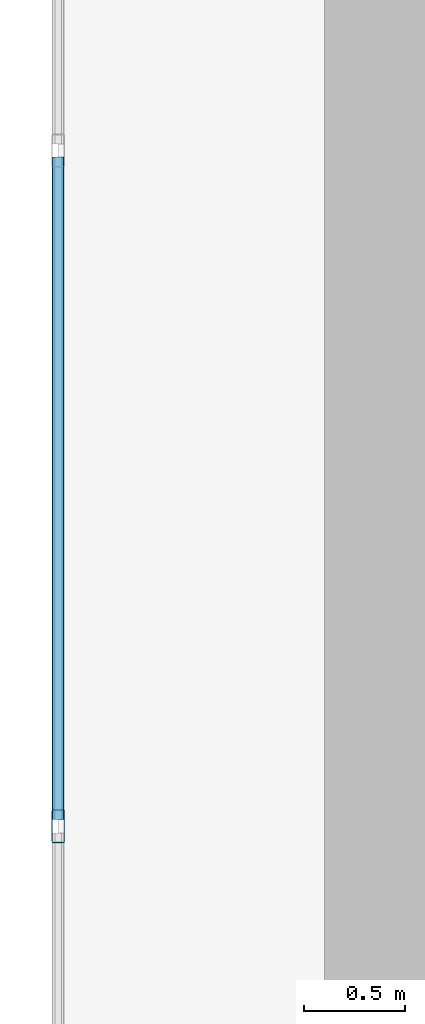
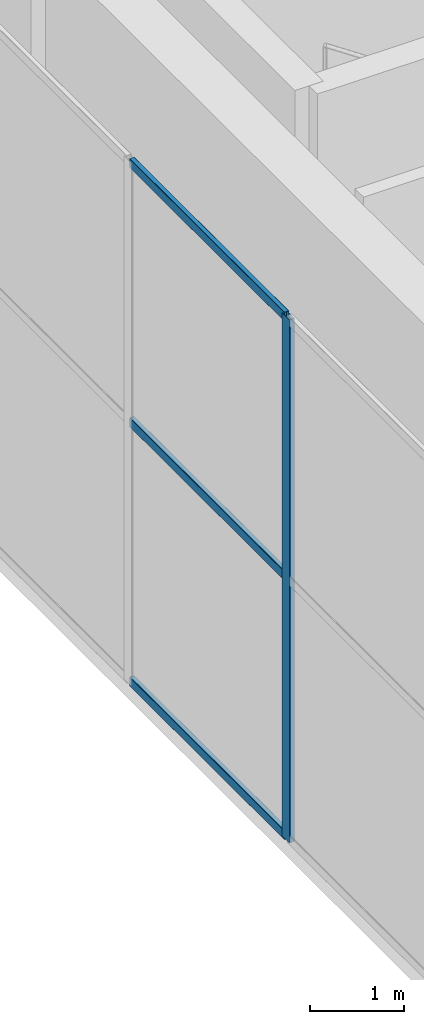
# One storey, part 7 of 24: 4 members, 1 element without a shape of its own.
"""IFC4 building model written with IfcOpenShell, lengths in metres."""

from ifc_helpers import new_model, si_unit, direction, frame, origin, origin_2d, place, context, subcontext, project, spatial, hollow_rectangle, extrude, material, layer, layer_set, material_profile, profile_set, type_object, element, aggregate, save


model = new_model("IFC4")

# Units and contexts
model_context = context("Model", 3, precision=1e-05, world=origin(), true_north=direction((0.0, 1.0)))
body_context = subcontext(model_context, "Body", "Model", "MODEL_VIEW")
ifc_project = project(units=[si_unit("LENGTHUNIT", "METRE"), si_unit("AREAUNIT", "SQUARE_METRE"), si_unit("VOLUMEUNIT", "CUBIC_METRE"), si_unit("PLANEANGLEUNIT", "RADIAN"), si_unit("MASSUNIT", "GRAM", prefix="KILO")], contexts=[model_context])

# Site, building, storey
site_placement = place(None, origin())
site = spatial("IfcSite", under=ifc_project, at=site_placement, CompositionType="ELEMENT")
building_placement = place(site_placement, origin())
building = spatial("IfcBuilding", under=site, at=building_placement, Name="An Khanh Terracotta Commons", CompositionType="ELEMENT")
storey_placement = place(building_placement, frame((0.0, 0.0, 315.199951171875)))
storey = spatial("IfcBuildingStorey", under=building, at=storey_placement, Name="L80 Crown Cooling Plant", CompositionType="ELEMENT", Elevation=315.199951171875)

# Curtain wall, members
ifc_material = material(Name="Anodised Aluminium 6063-T6", Category="aluminium")
ifc_layer = layer(ifc_material, 0.18994140625, Name="Anodised Aluminium 6063-T6")
ifc_layer_set = layer_set([ifc_layer], Name="Anodised Aluminium 6063-T6")
curtain_wall_type = type_object("IfcCurtainWallType", Name="CW-SYS-06", PredefinedType="USERDEFINED", material=ifc_layer_set)
curtain_wall_placement = place(storey_placement, origin())
curtain_wall = element("IfcCurtainWall", 1, at=curtain_wall_placement, inside=storey, type_object=curtain_wall_type, Name="L80 Crown Cooling Plant CW-06 Unitised Curtain Wall CW-L80-24", ObjectType="UNITISED CURTAIN WALL", PredefinedType="USERDEFINED")
ifc_material_profile_1 = material_profile(ifc_material, hollow_rectangle(XDim=0.06494140625, YDim=0.1650390625, WallThickness=0.00390625, InnerFilletRadius=0.00390625, OuterFilletRadius=0.008056640625, at=origin_2d()), Name="RHS165x65x4")
ifc_profile_set_1 = profile_set([ifc_material_profile_1], Name="Anodised Aluminium 6063-T6")
member_type_1 = type_object("IfcMemberType", Name="CWM-RHS165x65x4", PredefinedType="MULLION", material=ifc_profile_set_1)
member_1_placement = place(storey_placement, frame((20.0, 25.679931640625, 0.0), z_axis=(0.0, 0.0, 1.0), x_axis=(1.0, 0.0, 0.0)))
member_1 = element("IfcMember", 2, at=member_1_placement, type_object=member_type_1, Name="CW-06 mullion 3", PredefinedType="MULLION", context=body_context, shape_type="SweptSolid", body=[
    extrude(hollow_rectangle(XDim=0.06494140625, YDim=0.1650390625, WallThickness=0.00390625, InnerFilletRadius=0.00390625, OuterFilletRadius=0.008056640625, at=origin_2d()), origin(), (0.0, 0.0, 1.0), 6.800048828125),
])
ifc_material_profile_2 = material_profile(ifc_material, hollow_rectangle(XDim=0.06005859375, YDim=0.1201171875, WallThickness=0.003662109375, InnerFilletRadius=0.003662109375, OuterFilletRadius=0.007080078125, at=origin_2d()), Name="RHS120x60x3.6")
ifc_profile_set_2 = profile_set([ifc_material_profile_2], Name="Anodised Aluminium 6063-T6")
member_type_2 = type_object("IfcMemberType", Name="CWT-RHS120x60x3.6", PredefinedType="USERDEFINED", material=ifc_profile_set_2)
member_2_placement = place(storey_placement, frame((20.0, 29.007568359375, 0.030029296875), z_axis=(0.0, -1.0, 0.0), x_axis=(1.0, 0.0, 0.0)))
member_2 = element("IfcMember", 3, at=member_2_placement, type_object=member_type_2, Name="CW-06 transom 2.1", ObjectType="TRANSOM", PredefinedType="USERDEFINED", context=body_context, shape_type="SweptSolid", body=[
    extrude(hollow_rectangle(XDim=0.06005859375, YDim=0.1201171875, WallThickness=0.003662109375, InnerFilletRadius=0.003662109375, OuterFilletRadius=0.007080078125, at=origin_2d()), origin(), (0.0, 0.0, 1.0), 3.295166015625),
])
member_3_placement = place(storey_placement, frame((20.0, 29.007568359375, 3.400146484375), z_axis=(0.0, -1.0, 0.0), x_axis=(1.0, 0.0, 0.0)))
member_3 = element("IfcMember", 4, at=member_3_placement, type_object=member_type_2, Name="CW-06 transom 2.2", ObjectType="TRANSOM", PredefinedType="USERDEFINED", context=body_context, shape_type="SweptSolid", body=[
    extrude(hollow_rectangle(XDim=0.06005859375, YDim=0.1201171875, WallThickness=0.003662109375, InnerFilletRadius=0.003662109375, OuterFilletRadius=0.007080078125, at=origin_2d()), origin(), (0.0, 0.0, 1.0), 3.295166015625),
])
member_4_placement = place(storey_placement, frame((20.0, 29.007568359375, 6.77001953125), z_axis=(0.0, -1.0, 0.0), x_axis=(1.0, 0.0, 0.0)))
member_4 = element("IfcMember", 5, at=member_4_placement, type_object=member_type_2, Name="CW-06 transom 2.3", ObjectType="TRANSOM", PredefinedType="USERDEFINED", context=body_context, shape_type="SweptSolid", body=[
    extrude(hollow_rectangle(XDim=0.06005859375, YDim=0.1201171875, WallThickness=0.003662109375, InnerFilletRadius=0.003662109375, OuterFilletRadius=0.007080078125, at=origin_2d()), origin(), (0.0, 0.0, 1.0), 3.295166015625),
])
aggregate(curtain_wall, [member_1, member_2, member_3, member_4])

save(model, "model.ifc")
